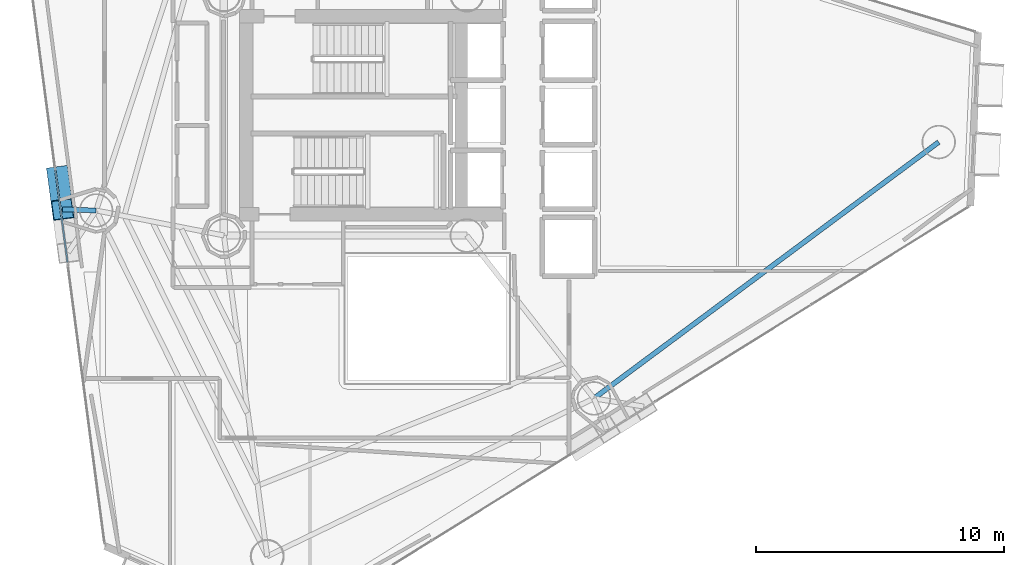
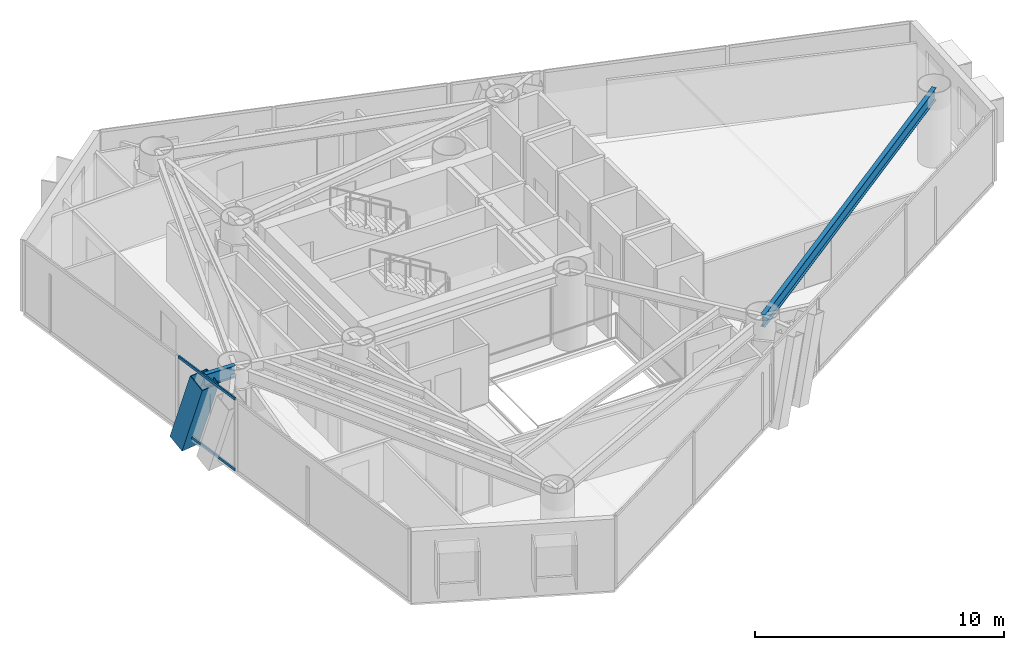
# One storey, part 8 of 22: 3 members, 2 beams, 1 element without a shape of its own.
"""IFC4 building model written with IfcOpenShell, lengths in metres."""

from ifc_helpers import new_model, si_unit, direction, frame, origin, origin_2d, place, context, subcontext, project, spatial, hollow_rectangle, i_section, extrude, material, layer, layer_set, material_profile, profile_set, type_object, element, aggregate, save


model = new_model("IFC4")

# Units and contexts
model_context = context("Model", 3, precision=1e-05, world=origin(), true_north=direction((0.0, 1.0)))
body_context = subcontext(model_context, "Body", "Model", "MODEL_VIEW")
ifc_project = project(units=[si_unit("LENGTHUNIT", "METRE"), si_unit("AREAUNIT", "SQUARE_METRE"), si_unit("VOLUMEUNIT", "CUBIC_METRE"), si_unit("PLANEANGLEUNIT", "RADIAN"), si_unit("MASSUNIT", "GRAM", prefix="KILO")], contexts=[model_context])

# Site, building, storey
site_placement = place(None, origin())
site = spatial("IfcSite", under=ifc_project, at=site_placement, CompositionType="ELEMENT")
building_placement = place(site_placement, origin())
building = spatial("IfcBuilding", under=site, at=building_placement, Name="Qianvela Tower", CompositionType="ELEMENT")
storey_placement = place(building_placement, frame((0.0, 0.0, 177.199951171875)))
storey = spatial("IfcBuildingStorey", under=building, at=storey_placement, Name="L45", CompositionType="ELEMENT", Elevation=177.199951171875)

# Beams
ifc_material_1 = material(Name="Steel Q355B", Category="steel")
ifc_material_profile_1 = material_profile(ifc_material_1, i_section(OverallWidth=0.199951171875, OverallDepth=0.60009765625, WebThickness=0.010986328125, FlangeThickness=0.01708984375, at=origin_2d()), Name="HN600x200x11x17")
ifc_profile_set_1 = profile_set([ifc_material_profile_1], Name="Steel Q355B")
beam_type = type_object("IfcBeamType", Name="BM-HN600-GIRD", PredefinedType="BEAM", material=ifc_profile_set_1)
beam_1_placement = place(storey_placement, frame((23.446044921875, 24.85888671875, 3.218017578125), z_axis=(-0.999492024148, 0.031869949248, 0.0), x_axis=(-0.031869949248, -0.999492024148, 0.0)))
element("IfcBeam", 1, at=beam_1_placement, inside=storey, type_object=beam_type, Name="L45 Mega-Brace Column Tie Bracket F2-1", PredefinedType="BEAM", context=body_context, shape_type="SweptSolid", body=[
    extrude(i_section(OverallWidth=0.199951171875, OverallDepth=0.60009765625, WebThickness=0.010986328125, FlangeThickness=0.01708984375, at=origin_2d()), origin(), (0.0, 0.0, 1.0), 1.35595703125),
])
beam_2_placement = place(storey_placement, frame((43.52490234375, 17.279052734375, 3.218017578125), z_axis=(0.802568869864, 0.596559476603, 0.0), x_axis=(-0.596559476603, 0.802568869864, 0.0)))
element("IfcBeam", 2, at=beam_2_placement, inside=storey, type_object=beam_type, Name="L45 Perimeter Ring Spandrel Girder 6", PredefinedType="BEAM", context=body_context, shape_type="SweptSolid", body=[
    extrude(i_section(OverallWidth=0.199951171875, OverallDepth=0.60009765625, WebThickness=0.010986328125, FlangeThickness=0.01708984375, at=origin_2d()), origin(), (0.0, 0.0, 1.0), 17.330810546875),
])

# Curtain wall, members
ifc_material_2 = material(Name="Anodised Architectural Aluminium and Insulated Spandrel Panel", Category="aluminium")
ifc_layer = layer(ifc_material_2, 0.179931640625)
ifc_layer_set = layer_set([ifc_layer], Name="Anodised Architectural Aluminium and Insulated Spandrel Panel")
curtain_wall_type = type_object("IfcCurtainWallType", Name="CW-BRACEBAY", PredefinedType="USERDEFINED", material=ifc_layer_set)
curtain_wall_placement = place(storey_placement, origin())
curtain_wall = element("IfcCurtainWall", 3, at=curtain_wall_placement, inside=storey, type_object=curtain_wall_type, Name="L45 CW-BRACEBAY Curtain Wall 04B", ObjectType="CURTAIN_WALL_SYSTEM", PredefinedType="USERDEFINED")
ifc_material_3 = material(Name="Anodised Architectural Aluminium 6063-T6", Category="aluminium")
ifc_material_profile_2 = material_profile(ifc_material_3, hollow_rectangle(XDim=0.06494140625, YDim=0.1298828125, WallThickness=0.00439453125, at=origin_2d()), Name="ALU-TRAN-65x130")
ifc_profile_set_2 = profile_set([ifc_material_profile_2], Name="Anodised Architectural Aluminium 6063-T6")
member_type_1 = type_object("IfcMemberType", Name="CW-BRACEBAY-TRAN", PredefinedType="USERDEFINED", material=ifc_profile_set_2)
member_1_placement = place(storey_placement, frame((21.802001953125, 26.47900390625, 0.032470703125), z_axis=(0.130820942156, -0.991406012234, 0.0), x_axis=(0.991406012234, 0.130820942156, 0.0)))
member_1 = element("IfcMember", 4, at=member_1_placement, type_object=member_type_1, Name="CW-9 transom 1.1", ObjectType="TRANSOM", PredefinedType="USERDEFINED", context=body_context, shape_type="SweptSolid", body=[
    extrude(hollow_rectangle(XDim=0.06494140625, YDim=0.1298828125, WallThickness=0.00439453125, at=origin_2d()), origin(), (0.0, 0.0, 1.0), 3.739990234375),
])
member_2_placement = place(storey_placement, frame((21.802001953125, 26.47900390625, 3.487548828125), z_axis=(0.130820942156, -0.991406012234, 0.0), x_axis=(0.991406012234, 0.130820942156, 0.0)))
member_2 = element("IfcMember", 5, at=member_2_placement, type_object=member_type_1, Name="CW-9 transom 1.2", ObjectType="TRANSOM", PredefinedType="USERDEFINED", context=body_context, shape_type="SweptSolid", body=[
    extrude(hollow_rectangle(XDim=0.06494140625, YDim=0.1298828125, WallThickness=0.00439453125, at=origin_2d()), origin(), (0.0, 0.0, 1.0), 3.739990234375),
])
aggregate(curtain_wall, [member_1, member_2])

# Member
ifc_material_4 = material(Name="Steel Q420GJC", Category="steel")
ifc_material_profile_3 = material_profile(ifc_material_4, hollow_rectangle(XDim=0.85009765625, YDim=0.85009765625, WallThickness=0.031982421875, at=origin_2d()), Name="MBOX-850x850x32")
ifc_profile_set_3 = profile_set([ifc_material_profile_3], Name="Steel Q420GJC")
member_type_2 = type_object("IfcMemberType", Name="MBR-MBRACE-850", PredefinedType="BRACE", material=ifc_profile_set_3)
member_3_placement = place(storey_placement, frame((21.916015625, 26.22607421875, -0.48193359375), z_axis=(0.044439007451, -0.336582035483, 0.940604969159), x_axis=(0.991396329947, 0.130894296928, 0.0)))
element("IfcMember", 6, at=member_3_placement, inside=storey, type_object=member_type_2, Name="L45 Tier 7 Exterior Mega-Brace F2A", PredefinedType="BRACE", context=body_context, shape_type="SweptSolid", body=[
    extrude(hollow_rectangle(XDim=0.85009765625, YDim=0.85009765625, WallThickness=0.031982421875, at=origin_2d()), origin(), (0.0, 0.0, 1.0), 3.93359375),
])

save(model, "model.ifc")
